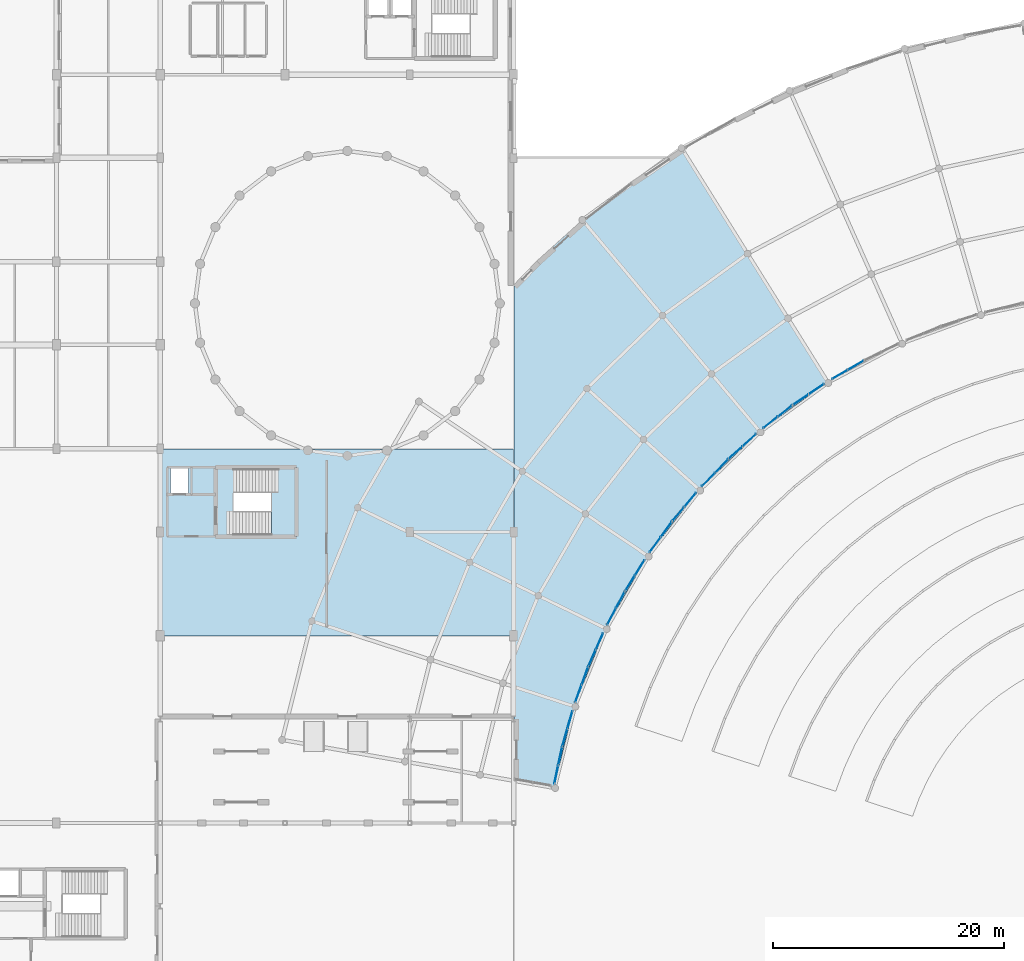
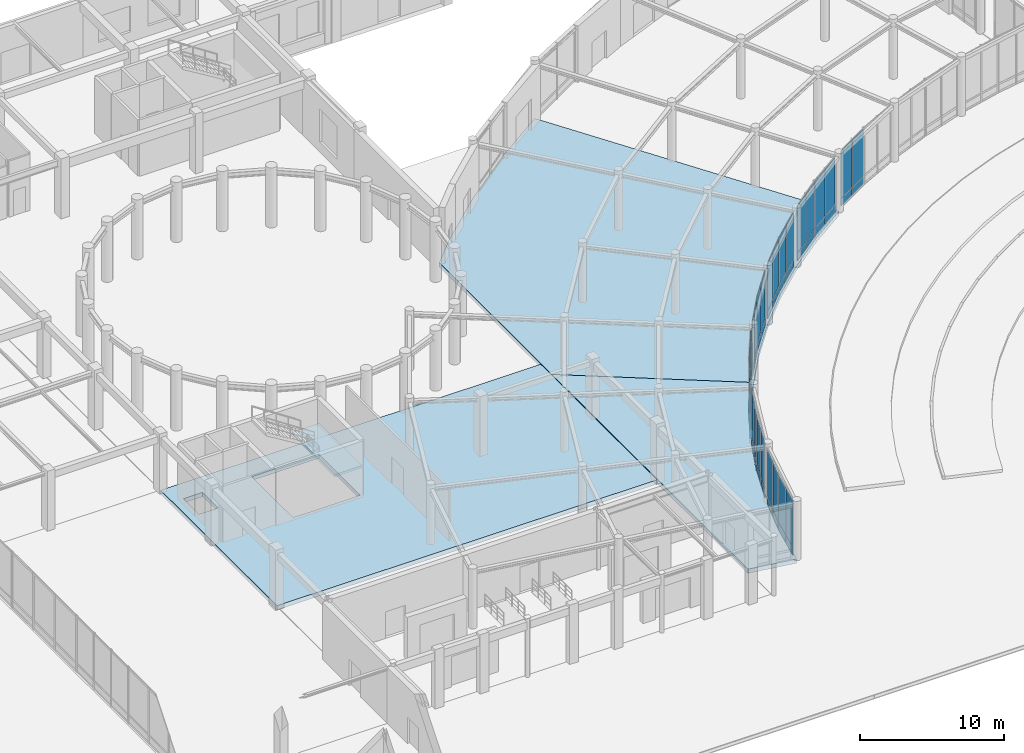
# One storey, part 40 of 64: 52 plates, 4 slabs, 14 elements without a shape of their own.
"""IFC4 building model written with IfcOpenShell, lengths in metres."""

from ifc_helpers import new_model, si_unit, direction, frame, frame_2d, origin, place, context, subcontext, project, spatial, polyline, rectangle, outline, extrude, material, layer, layer_set, type_object, element, aggregate, save


model = new_model("IFC4")

# Units and contexts
model_context = context("Model", 3, precision=1e-05, world=origin(), true_north=direction((0.0, 1.0)))
body_context = subcontext(model_context, "Body", "Model", "MODEL_VIEW")
ifc_project = project(units=[si_unit("LENGTHUNIT", "METRE"), si_unit("AREAUNIT", "SQUARE_METRE"), si_unit("VOLUMEUNIT", "CUBIC_METRE"), si_unit("PLANEANGLEUNIT", "RADIAN"), si_unit("MASSUNIT", "GRAM", prefix="KILO")], contexts=[model_context])

# Site, building, storey
site_placement = place(None, origin())
site = spatial("IfcSite", under=ifc_project, at=site_placement, CompositionType="ELEMENT")
building_placement = place(site_placement, origin())
building = spatial("IfcBuilding", under=site, at=building_placement, Name="Clarverna Civic Hall", CompositionType="ELEMENT")
storey_placement = place(building_placement, origin())
storey = spatial("IfcBuildingStorey", under=building, at=storey_placement, Name="L00", CompositionType="ELEMENT", Elevation=0.0)

# Curtain wall, plates
ifc_material_1 = material(Name="Anodised Bronze Architectural Aluminium", Category="aluminium")
curtain_wall_type = type_object("IfcCurtainWallType", Name="CW-03", PredefinedType="USERDEFINED", material=ifc_material_1)
curtain_wall_1_placement = place(storey_placement, origin())
curtain_wall_1 = element("IfcCurtainWall", 1, at=curtain_wall_1_placement, inside=storey, type_object=curtain_wall_type, Name="CW-03-013", ObjectType="UNITISED CURTAIN WALL", PredefinedType="USERDEFINED")
ifc_material_2 = material(Name="Solar-Control Argon Low-E Double Glazing", Category="glass")
ifc_layer_1 = layer(ifc_material_2, 0.031982421875)
ifc_layer_set_1 = layer_set([ifc_layer_1], Name="Solar-Control Argon Low-E Double Glazing")
plate_type_1 = type_object("IfcPlateType", Name="CWP-01", PredefinedType="CURTAIN_PANEL", material=ifc_layer_set_1)
plate_1_placement = place(storey_placement, frame((127.475830078125, 54.010498046875, 0.764892578125), z_axis=(0.0, 0.0, 1.0), x_axis=(-0.86599994119, -0.500044099915, 0.0)))
plate_1 = element("IfcPlate", 2, at=plate_1_placement, type_object=plate_type_1, Name="CWP-01-025", PredefinedType="CURTAIN_PANEL", context=body_context, shape_type="SweptSolid", body=[
    extrude(rectangle(XDim=1.532958984375, YDim=0.031982421875, at=frame_2d((0.7666015625, 0.0))), origin(), (0.0, 0.0, 1.0), 3.985107421875),
])
plate_2_placement = place(storey_placement, frame((126.122314453125, 53.22900390625, 0.764892578125), z_axis=(0.0, 0.0, 1.0), x_axis=(-0.8659601135, -0.500113069043, 0.0)))
plate_2 = element("IfcPlate", 3, at=plate_2_placement, type_object=plate_type_1, Name="CWP-01-026", PredefinedType="CURTAIN_PANEL", context=body_context, shape_type="SweptSolid", body=[
    extrude(rectangle(XDim=1.532958984375, YDim=0.031982421875, at=frame_2d((0.7666015625, 0.0))), origin(), (0.0, 0.0, 1.0), 3.985107421875),
])

curtain_wall_2_placement = place(storey_placement, origin())
curtain_wall_2 = element("IfcCurtainWall", 4, at=curtain_wall_2_placement, inside=storey, type_object=curtain_wall_type, Name="CW-03-014", ObjectType="UNITISED CURTAIN WALL", PredefinedType="USERDEFINED")
plate_3_placement = place(storey_placement, frame((124.064453125, 52.01123046875, 0.764892578125), z_axis=(0.0, 0.0, 1.0), x_axis=(-0.829045709522, -0.559180839731, 0.0)))
plate_3 = element("IfcPlate", 5, at=plate_3_placement, type_object=plate_type_1, Name="CWP-01-027", PredefinedType="CURTAIN_PANEL", context=body_context, shape_type="SweptSolid", body=[
    extrude(rectangle(XDim=1.593994140625, YDim=0.031982421875, at=frame_2d((0.796875, 0.0))), origin(), (0.0, 0.0, 1.0), 3.985107421875),
])
plate_4_placement = place(storey_placement, frame((122.718017578125, 51.103271484375, 0.764892578125), z_axis=(0.0, 0.0, 1.0), x_axis=(-0.82899781038, -0.559251848799, 0.0)))
plate_4 = element("IfcPlate", 6, at=plate_4_placement, type_object=plate_type_1, Name="CWP-01-028", PredefinedType="CURTAIN_PANEL", context=body_context, shape_type="SweptSolid", body=[
    extrude(rectangle(XDim=1.59375, YDim=0.031982421875, at=frame_2d((0.796875, 0.0))), origin(), (0.0, 0.0, 1.0), 3.985107421875),
])

curtain_wall_3_placement = place(storey_placement, origin())
curtain_wall_3 = element("IfcCurtainWall", 7, at=curtain_wall_3_placement, inside=storey, type_object=curtain_wall_type, Name="CW-03-015", ObjectType="UNITISED CURTAIN WALL", PredefinedType="USERDEFINED")
plate_5_placement = place(storey_placement, frame((121.311279296875, 50.149658203125, 0.764892578125), z_axis=(0.0, 0.0, 1.0), x_axis=(-0.788074025404, -0.615580482539, 0.0)))
plate_5 = element("IfcPlate", 8, at=plate_5_placement, type_object=plate_type_1, Name="CWP-01-029", PredefinedType="CURTAIN_PANEL", context=body_context, shape_type="SweptSolid", body=[
    extrude(rectangle(XDim=1.5654296875, YDim=0.031982421875, at=frame_2d((0.78271484375, 0.0))), origin(), (0.0, 0.0, 1.0), 3.985107421875),
])
plate_6_placement = place(storey_placement, frame((120.05419921875, 49.16748046875, 0.764892578125), z_axis=(0.0, 0.0, 1.0), x_axis=(-0.788074025404, -0.615580482539, 0.0)))
plate_6 = element("IfcPlate", 9, at=plate_6_placement, type_object=plate_type_1, Name="CWP-01-030", PredefinedType="CURTAIN_PANEL", context=body_context, shape_type="SweptSolid", body=[
    extrude(rectangle(XDim=1.5654296875, YDim=0.031982421875, at=frame_2d((0.78271484375, 0.0))), origin(), (0.0, 0.0, 1.0), 3.985107421875),
])

curtain_wall_4_placement = place(storey_placement, origin())
curtain_wall_4 = element("IfcCurtainWall", 10, at=curtain_wall_4_placement, inside=storey, type_object=curtain_wall_type, Name="CW-03-016", ObjectType="UNITISED CURTAIN WALL", PredefinedType="USERDEFINED")
plate_7_placement = place(storey_placement, frame((118.199462890625, 47.684326171875, 0.764892578125), z_axis=(0.0, 0.0, 1.0), x_axis=(-0.74315636216, -0.669117793353, 0.0)))
plate_7 = element("IfcPlate", 11, at=plate_7_placement, type_object=plate_type_1, Name="CWP-01-031", PredefinedType="CURTAIN_PANEL", context=body_context, shape_type="SweptSolid", body=[
    extrude(rectangle(XDim=1.586181640625, YDim=0.031982421875, at=frame_2d((0.79296875, 0.0))), origin(), (0.0, 0.0, 1.0), 3.985107421875),
])
plate_8_placement = place(storey_placement, frame((116.998291015625, 46.60302734375, 0.764892578125), z_axis=(0.0, 0.0, 1.0), x_axis=(-0.74315636216, -0.669117793353, 0.0)))
plate_8 = element("IfcPlate", 12, at=plate_8_placement, type_object=plate_type_1, Name="CWP-01-032", PredefinedType="CURTAIN_PANEL", context=body_context, shape_type="SweptSolid", body=[
    extrude(rectangle(XDim=1.586181640625, YDim=0.031982421875, at=frame_2d((0.79296875, 0.0))), origin(), (0.0, 0.0, 1.0), 3.985107421875),
])

curtain_wall_5_placement = place(storey_placement, origin())
curtain_wall_5 = element("IfcCurtainWall", 13, at=curtain_wall_5_placement, inside=storey, type_object=curtain_wall_type, Name="CW-03-017", ObjectType="UNITISED CURTAIN WALL", PredefinedType="USERDEFINED")
plate_9_placement = place(storey_placement, frame((115.743896484375, 45.468505859375, 0.764892578125), z_axis=(0.0, 0.0, 1.0), x_axis=(-0.694663306685, -0.719335033448, 0.0)))
plate_9 = element("IfcPlate", 14, at=plate_9_placement, type_object=plate_type_1, Name="CWP-01-033", PredefinedType="CURTAIN_PANEL", context=body_context, shape_type="SweptSolid", body=[
    extrude(rectangle(XDim=1.583251953125, YDim=0.031982421875, at=frame_2d((0.79150390625, 0.0))), origin(), (0.0, 0.0, 1.0), 3.985107421875),
])
plate_10_placement = place(storey_placement, frame((114.623291015625, 44.30810546875, 0.764892578125), z_axis=(0.0, 0.0, 1.0), x_axis=(-0.694663306685, -0.719335033448, 0.0)))
plate_10 = element("IfcPlate", 15, at=plate_10_placement, type_object=plate_type_1, Name="CWP-01-034", PredefinedType="CURTAIN_PANEL", context=body_context, shape_type="SweptSolid", body=[
    extrude(rectangle(XDim=1.583251953125, YDim=0.031982421875, at=frame_2d((0.79150390625, 0.0))), origin(), (0.0, 0.0, 1.0), 3.985107421875),
])

curtain_wall_6_placement = place(storey_placement, origin())
curtain_wall_6 = element("IfcCurtainWall", 16, at=curtain_wall_6_placement, inside=storey, type_object=curtain_wall_type, Name="CW-03-018", ObjectType="UNITISED CURTAIN WALL", PredefinedType="USERDEFINED")
plate_11_placement = place(storey_placement, frame((112.985595703125, 42.570556640625, 0.764892578125), z_axis=(0.0, 0.0, 1.0), x_axis=(-0.642780039914, -0.766050794848, 0.0)))
plate_11 = element("IfcPlate", 17, at=plate_11_placement, type_object=plate_type_1, Name="CWP-01-035", PredefinedType="CURTAIN_PANEL", context=body_context, shape_type="SweptSolid", body=[
    extrude(rectangle(XDim=1.570556640625, YDim=0.031982421875, at=frame_2d((0.78515625, 0.0))), origin(), (0.0, 0.0, 1.0), 3.985107421875),
])
plate_12_placement = place(storey_placement, frame((111.956787109375, 41.344482421875, 0.764892578125), z_axis=(0.0, 0.0, 1.0), x_axis=(-0.642794715853, -0.766038480281, 0.0)))
plate_12 = element("IfcPlate", 18, at=plate_12_placement, type_object=plate_type_1, Name="CWP-01-036", PredefinedType="CURTAIN_PANEL", context=body_context, shape_type="SweptSolid", body=[
    extrude(rectangle(XDim=1.57080078125, YDim=0.031982421875, at=frame_2d((0.785400390625, 0.0))), origin(), (0.0, 0.0, 1.0), 3.985107421875),
])

curtain_wall_7_placement = place(storey_placement, origin())
curtain_wall_7 = element("IfcCurtainWall", 19, at=curtain_wall_7_placement, inside=storey, type_object=curtain_wall_type, Name="CW-03-019", ObjectType="UNITISED CURTAIN WALL", PredefinedType="USERDEFINED")
plate_13_placement = place(storey_placement, frame((110.8818359375, 40.057861328125, 0.764892578125), z_axis=(0.0, 0.0, 1.0), x_axis=(-0.58778877227, -0.80901443695, 0.0)))
plate_13 = element("IfcPlate", 20, at=plate_13_placement, type_object=plate_type_1, Name="CWP-01-037", PredefinedType="CURTAIN_PANEL", context=body_context, shape_type="SweptSolid", body=[
    extrude(rectangle(XDim=1.592529296875, YDim=0.031982421875, at=frame_2d((0.79638671875, 0.0))), origin(), (0.0, 0.0, 1.0), 3.985107421875),
])
plate_14_placement = place(storey_placement, frame((109.92822265625, 38.7451171875, 0.764892578125), z_axis=(0.0, 0.0, 1.0), x_axis=(-0.58778877227, -0.80901443695, 0.0)))
plate_14 = element("IfcPlate", 21, at=plate_14_placement, type_object=plate_type_1, Name="CWP-01-038", PredefinedType="CURTAIN_PANEL", context=body_context, shape_type="SweptSolid", body=[
    extrude(rectangle(XDim=1.592529296875, YDim=0.031982421875, at=frame_2d((0.79638671875, 0.0))), origin(), (0.0, 0.0, 1.0), 3.985107421875),
])

curtain_wall_8_placement = place(storey_placement, origin())
curtain_wall_8 = element("IfcCurtainWall", 22, at=curtain_wall_8_placement, inside=storey, type_object=curtain_wall_type, Name="CW-03-020", ObjectType="UNITISED CURTAIN WALL", PredefinedType="USERDEFINED")
plate_15_placement = place(storey_placement, frame((108.524658203125, 36.75732421875, 0.764892578125), z_axis=(0.0, 0.0, 1.0), x_axis=(-0.529998940003, -0.847998304005, 0.0)))
plate_15 = element("IfcPlate", 23, at=plate_15_placement, type_object=plate_type_1, Name="CWP-01-039", PredefinedType="CURTAIN_PANEL", context=body_context, shape_type="SweptSolid", body=[
    extrude(rectangle(XDim=1.543212890625, YDim=0.031982421875, at=frame_2d((0.771484375, 0.0))), origin(), (0.0, 0.0, 1.0), 3.985107421875),
])
plate_16_placement = place(storey_placement, frame((107.691162109375, 35.42333984375, 0.764892578125), z_axis=(0.0, 0.0, 1.0), x_axis=(-0.530070052686, -0.847953854431, 0.0)))
plate_16 = element("IfcPlate", 24, at=plate_16_placement, type_object=plate_type_1, Name="CWP-01-040", PredefinedType="CURTAIN_PANEL", context=body_context, shape_type="SweptSolid", body=[
    extrude(rectangle(XDim=1.54296875, YDim=0.031982421875, at=frame_2d((0.771484375, 0.0))), origin(), (0.0, 0.0, 1.0), 3.985107421875),
])

curtain_wall_9_placement = place(storey_placement, origin())
curtain_wall_9 = element("IfcCurtainWall", 25, at=curtain_wall_9_placement, inside=storey, type_object=curtain_wall_type, Name="CW-03-021", ObjectType="UNITISED CURTAIN WALL", PredefinedType="USERDEFINED")
plate_17_placement = place(storey_placement, frame((106.820556640625, 34.0234375, 0.764892578125), z_axis=(0.0, 0.0, 1.0), x_axis=(-0.469460802596, -0.882953314069, 0.0)))
plate_17 = element("IfcPlate", 26, at=plate_17_placement, type_object=plate_type_1, Name="CWP-01-041", PredefinedType="CURTAIN_PANEL", context=body_context, shape_type="SweptSolid", body=[
    extrude(rectangle(XDim=1.596435546875, YDim=0.031982421875, at=frame_2d((0.79833984375, 0.0))), origin(), (0.0, 0.0, 1.0), 3.985107421875),
])
plate_18_placement = place(storey_placement, frame((106.056884765625, 32.58740234375, 0.764892578125), z_axis=(0.0, 0.0, 1.0), x_axis=(-0.469278200902, -0.883050378041, 0.0)))
plate_18 = element("IfcPlate", 27, at=plate_18_placement, type_object=plate_type_1, Name="CWP-01-042", PredefinedType="CURTAIN_PANEL", context=body_context, shape_type="SweptSolid", body=[
    extrude(rectangle(XDim=1.5966796875, YDim=0.031982421875, at=frame_2d((0.79833984375, 0.0))), origin(), (0.0, 0.0, 1.0), 3.985107421875),
])

curtain_wall_10_placement = place(storey_placement, origin())
curtain_wall_10 = element("IfcCurtainWall", 28, at=curtain_wall_10_placement, inside=storey, type_object=curtain_wall_type, Name="CW-03-022", ObjectType="UNITISED CURTAIN WALL", PredefinedType="USERDEFINED")
plate_19_placement = place(storey_placement, frame((104.938720703125, 30.41162109375, 0.764892578125), z_axis=(0.0, 0.0, 1.0), x_axis=(-0.406743501213, -0.913542404172, 0.0)))
plate_19 = element("IfcPlate", 29, at=plate_19_placement, type_object=plate_type_1, Name="CWP-01-043", PredefinedType="CURTAIN_PANEL", context=body_context, shape_type="SweptSolid", body=[
    extrude(rectangle(XDim=1.534912109375, YDim=0.031982421875, at=frame_2d((0.767578125, 0.0))), origin(), (0.0, 0.0, 1.0), 3.985107421875),
])
plate_20_placement = place(storey_placement, frame((104.30224609375, 28.982177734375, 0.764892578125), z_axis=(0.0, 0.0, 1.0), x_axis=(-0.406743501213, -0.913542404172, 0.0)))
plate_20 = element("IfcPlate", 30, at=plate_20_placement, type_object=plate_type_1, Name="CWP-01-044", PredefinedType="CURTAIN_PANEL", context=body_context, shape_type="SweptSolid", body=[
    extrude(rectangle(XDim=1.534912109375, YDim=0.031982421875, at=frame_2d((0.767578125, 0.0))), origin(), (0.0, 0.0, 1.0), 3.985107421875),
])

curtain_wall_11_placement = place(storey_placement, origin())
curtain_wall_11 = element("IfcCurtainWall", 31, at=curtain_wall_11_placement, inside=storey, type_object=curtain_wall_type, Name="CW-03-023", ObjectType="UNITISED CURTAIN WALL", PredefinedType="USERDEFINED")
plate_21_placement = place(storey_placement, frame((103.638427734375, 27.482421875, 0.764892578125), z_axis=(0.0, 0.0, 1.0), x_axis=(-0.342074547265, -0.939672817588, 0.0)))
plate_21 = element("IfcPlate", 32, at=plate_21_placement, type_object=plate_type_1, Name="CWP-01-045", PredefinedType="CURTAIN_PANEL", context=body_context, shape_type="SweptSolid", body=[
    extrude(rectangle(XDim=1.5966796875, YDim=0.031982421875, at=frame_2d((0.79833984375, 0.0))), origin(), (0.0, 0.0, 1.0), 3.985107421875),
])
plate_22_placement = place(storey_placement, frame((103.082275390625, 25.9541015625, 0.764892578125), z_axis=(0.0, 0.0, 1.0), x_axis=(-0.342123707107, -0.939654920189, 0.0)))
plate_22 = element("IfcPlate", 33, at=plate_22_placement, type_object=plate_type_1, Name="CWP-01-046", PredefinedType="CURTAIN_PANEL", context=body_context, shape_type="SweptSolid", body=[
    extrude(rectangle(XDim=1.596435546875, YDim=0.031982421875, at=frame_2d((0.79833984375, 0.0))), origin(), (0.0, 0.0, 1.0), 3.985107421875),
])

curtain_wall_12_placement = place(storey_placement, origin())
curtain_wall_12 = element("IfcCurtainWall", 34, at=curtain_wall_12_placement, inside=storey, type_object=curtain_wall_type, Name="CW-03-024", ObjectType="UNITISED CURTAIN WALL", PredefinedType="USERDEFINED")
plate_23_placement = place(storey_placement, frame((102.288818359375, 23.682861328125, 0.764892578125), z_axis=(0.0, 0.0, 1.0), x_axis=(-0.275674782224, -0.9612509633, 0.0)))
plate_23 = element("IfcPlate", 35, at=plate_23_placement, type_object=plate_type_1, Name="CWP-01-047", PredefinedType="CURTAIN_PANEL", context=body_context, shape_type="SweptSolid", body=[
    extrude(rectangle(XDim=1.55517578125, YDim=0.031982421875, at=frame_2d((0.777587890625, 0.0))), origin(), (0.0, 0.0, 1.0), 3.985107421875),
])
plate_24_placement = place(storey_placement, frame((101.851806640625, 22.1591796875, 0.764892578125), z_axis=(0.0, 0.0, 1.0), x_axis=(-0.275716389492, -0.96123902988, 0.0)))
plate_24 = element("IfcPlate", 36, at=plate_24_placement, type_object=plate_type_1, Name="CWP-01-048", PredefinedType="CURTAIN_PANEL", context=body_context, shape_type="SweptSolid", body=[
    extrude(rectangle(XDim=1.554931640625, YDim=0.031982421875, at=frame_2d((0.77734375, 0.0))), origin(), (0.0, 0.0, 1.0), 3.985107421875),
])

curtain_wall_13_placement = place(storey_placement, origin())
curtain_wall_13 = element("IfcCurtainWall", 37, at=curtain_wall_13_placement, inside=storey, type_object=curtain_wall_type, Name="CW-03-025", ObjectType="UNITISED CURTAIN WALL", PredefinedType="USERDEFINED")
plate_25_placement = place(storey_placement, frame((101.397705078125, 20.56201171875, 0.764892578125), z_axis=(0.0, 0.0, 1.0), x_axis=(-0.207833092488, -0.978164304024, 0.0)))
plate_25 = element("IfcPlate", 38, at=plate_25_placement, type_object=plate_type_1, Name="CWP-01-049", PredefinedType="CURTAIN_PANEL", context=body_context, shape_type="SweptSolid", body=[
    extrude(rectangle(XDim=1.5927734375, YDim=0.031982421875, at=frame_2d((0.79638671875, 0.0))), origin(), (0.0, 0.0, 1.0), 3.985107421875),
])
plate_26_placement = place(storey_placement, frame((101.060302734375, 18.974609375, 0.764892578125), z_axis=(0.0, 0.0, 1.0), x_axis=(-0.207864255912, -0.978157682132, 0.0)))
plate_26 = element("IfcPlate", 39, at=plate_26_placement, type_object=plate_type_1, Name="CWP-01-050", PredefinedType="CURTAIN_PANEL", context=body_context, shape_type="SweptSolid", body=[
    extrude(rectangle(XDim=1.592529296875, YDim=0.031982421875, at=frame_2d((0.79638671875, 0.0))), origin(), (0.0, 0.0, 1.0), 3.985107421875),
])

# Plate
ifc_material_3 = material(Name="Insulated Anodised Bronze Spandrel Panel", Category="aluminium")
ifc_layer_2 = layer(ifc_material_3, 0.048095703125)
ifc_layer_set_2 = layer_set([ifc_layer_2], Name="Insulated Anodised Bronze Spandrel Panel")
plate_type_2 = type_object("IfcPlateType", Name="CWP-03", PredefinedType="CURTAIN_PANEL", material=ifc_layer_set_2)
plate_27_placement = place(storey_placement, frame((127.475830078125, 54.010498046875, 0.110107421875), z_axis=(0.0, 0.0, 1.0), x_axis=(-0.86599994119, -0.500044099915, 0.0)))
plate_27 = element("IfcPlate", 40, at=plate_27_placement, type_object=plate_type_2, Name="CWP-03-027", PredefinedType="CURTAIN_PANEL", context=body_context, shape_type="SweptSolid", body=[
    extrude(rectangle(XDim=1.532958984375, YDim=0.048095703125, at=frame_2d((0.7666015625, 0.0))), origin(), (0.0, 0.0, 1.0), 0.625),
])

plate_28_placement = place(storey_placement, frame((126.122314453125, 53.22900390625, 0.110107421875), z_axis=(0.0, 0.0, 1.0), x_axis=(-0.8659601135, -0.500113069043, 0.0)))
plate_28 = element("IfcPlate", 41, at=plate_28_placement, type_object=plate_type_2, Name="CWP-03-028", PredefinedType="CURTAIN_PANEL", context=body_context, shape_type="SweptSolid", body=[
    extrude(rectangle(XDim=1.532958984375, YDim=0.048095703125, at=frame_2d((0.7666015625, 0.0))), origin(), (0.0, 0.0, 1.0), 0.625),
])

aggregate(curtain_wall_1, [plate_27, plate_1, plate_28, plate_2])

plate_29_placement = place(storey_placement, frame((124.064453125, 52.01123046875, 0.110107421875), z_axis=(0.0, 0.0, 1.0), x_axis=(-0.829045709522, -0.559180839731, 0.0)))
plate_29 = element("IfcPlate", 42, at=plate_29_placement, type_object=plate_type_2, Name="CWP-03-029", PredefinedType="CURTAIN_PANEL", context=body_context, shape_type="SweptSolid", body=[
    extrude(rectangle(XDim=1.593994140625, YDim=0.048095703125, at=frame_2d((0.796875, 0.0))), origin(), (0.0, 0.0, 1.0), 0.625),
])

plate_30_placement = place(storey_placement, frame((122.718017578125, 51.103271484375, 0.110107421875), z_axis=(0.0, 0.0, 1.0), x_axis=(-0.82899781038, -0.559251848799, 0.0)))
plate_30 = element("IfcPlate", 43, at=plate_30_placement, type_object=plate_type_2, Name="CWP-03-030", PredefinedType="CURTAIN_PANEL", context=body_context, shape_type="SweptSolid", body=[
    extrude(rectangle(XDim=1.59375, YDim=0.048095703125, at=frame_2d((0.796875, 0.0))), origin(), (0.0, 0.0, 1.0), 0.625),
])

aggregate(curtain_wall_2, [plate_29, plate_3, plate_30, plate_4])

plate_31_placement = place(storey_placement, frame((121.311279296875, 50.149658203125, 0.110107421875), z_axis=(0.0, 0.0, 1.0), x_axis=(-0.788074025404, -0.615580482539, 0.0)))
plate_31 = element("IfcPlate", 44, at=plate_31_placement, type_object=plate_type_2, Name="CWP-03-031", PredefinedType="CURTAIN_PANEL", context=body_context, shape_type="SweptSolid", body=[
    extrude(rectangle(XDim=1.5654296875, YDim=0.048095703125, at=frame_2d((0.78271484375, 0.0))), origin(), (0.0, 0.0, 1.0), 0.625),
])

plate_32_placement = place(storey_placement, frame((120.05419921875, 49.16748046875, 0.110107421875), z_axis=(0.0, 0.0, 1.0), x_axis=(-0.788074025404, -0.615580482539, 0.0)))
plate_32 = element("IfcPlate", 45, at=plate_32_placement, type_object=plate_type_2, Name="CWP-03-032", PredefinedType="CURTAIN_PANEL", context=body_context, shape_type="SweptSolid", body=[
    extrude(rectangle(XDim=1.5654296875, YDim=0.048095703125, at=frame_2d((0.78271484375, 0.0))), origin(), (0.0, 0.0, 1.0), 0.625),
])

aggregate(curtain_wall_3, [plate_31, plate_5, plate_32, plate_6])

plate_33_placement = place(storey_placement, frame((118.199462890625, 47.684326171875, 0.110107421875), z_axis=(0.0, 0.0, 1.0), x_axis=(-0.74315636216, -0.669117793353, 0.0)))
plate_33 = element("IfcPlate", 46, at=plate_33_placement, type_object=plate_type_2, Name="CWP-03-033", PredefinedType="CURTAIN_PANEL", context=body_context, shape_type="SweptSolid", body=[
    extrude(rectangle(XDim=1.586181640625, YDim=0.048095703125, at=frame_2d((0.79296875, 0.0))), origin(), (0.0, 0.0, 1.0), 0.625),
])

plate_34_placement = place(storey_placement, frame((116.998291015625, 46.60302734375, 0.110107421875), z_axis=(0.0, 0.0, 1.0), x_axis=(-0.74315636216, -0.669117793353, 0.0)))
plate_34 = element("IfcPlate", 47, at=plate_34_placement, type_object=plate_type_2, Name="CWP-03-034", PredefinedType="CURTAIN_PANEL", context=body_context, shape_type="SweptSolid", body=[
    extrude(rectangle(XDim=1.586181640625, YDim=0.048095703125, at=frame_2d((0.79296875, 0.0))), origin(), (0.0, 0.0, 1.0), 0.625),
])

aggregate(curtain_wall_4, [plate_33, plate_7, plate_34, plate_8])

plate_35_placement = place(storey_placement, frame((115.743896484375, 45.468505859375, 0.110107421875), z_axis=(0.0, 0.0, 1.0), x_axis=(-0.694663306685, -0.719335033448, 0.0)))
plate_35 = element("IfcPlate", 48, at=plate_35_placement, type_object=plate_type_2, Name="CWP-03-035", PredefinedType="CURTAIN_PANEL", context=body_context, shape_type="SweptSolid", body=[
    extrude(rectangle(XDim=1.583251953125, YDim=0.048095703125, at=frame_2d((0.79150390625, 0.0))), origin(), (0.0, 0.0, 1.0), 0.625),
])

plate_36_placement = place(storey_placement, frame((114.623291015625, 44.30810546875, 0.110107421875), z_axis=(0.0, 0.0, 1.0), x_axis=(-0.694663306685, -0.719335033448, 0.0)))
plate_36 = element("IfcPlate", 49, at=plate_36_placement, type_object=plate_type_2, Name="CWP-03-036", PredefinedType="CURTAIN_PANEL", context=body_context, shape_type="SweptSolid", body=[
    extrude(rectangle(XDim=1.583251953125, YDim=0.048095703125, at=frame_2d((0.79150390625, 0.0))), origin(), (0.0, 0.0, 1.0), 0.625),
])

aggregate(curtain_wall_5, [plate_35, plate_9, plate_36, plate_10])

plate_37_placement = place(storey_placement, frame((112.985595703125, 42.570556640625, 0.110107421875), z_axis=(0.0, 0.0, 1.0), x_axis=(-0.642780039914, -0.766050794848, 0.0)))
plate_37 = element("IfcPlate", 50, at=plate_37_placement, type_object=plate_type_2, Name="CWP-03-037", PredefinedType="CURTAIN_PANEL", context=body_context, shape_type="SweptSolid", body=[
    extrude(rectangle(XDim=1.570556640625, YDim=0.048095703125, at=frame_2d((0.78515625, 0.0))), origin(), (0.0, 0.0, 1.0), 0.625),
])

plate_38_placement = place(storey_placement, frame((111.956787109375, 41.344482421875, 0.110107421875), z_axis=(0.0, 0.0, 1.0), x_axis=(-0.642794715853, -0.766038480281, 0.0)))
plate_38 = element("IfcPlate", 51, at=plate_38_placement, type_object=plate_type_2, Name="CWP-03-038", PredefinedType="CURTAIN_PANEL", context=body_context, shape_type="SweptSolid", body=[
    extrude(rectangle(XDim=1.57080078125, YDim=0.048095703125, at=frame_2d((0.785400390625, 0.0))), origin(), (0.0, 0.0, 1.0), 0.625),
])

aggregate(curtain_wall_6, [plate_37, plate_11, plate_38, plate_12])

plate_39_placement = place(storey_placement, frame((110.8818359375, 40.057861328125, 0.110107421875), z_axis=(0.0, 0.0, 1.0), x_axis=(-0.58778877227, -0.80901443695, 0.0)))
plate_39 = element("IfcPlate", 52, at=plate_39_placement, type_object=plate_type_2, Name="CWP-03-039", PredefinedType="CURTAIN_PANEL", context=body_context, shape_type="SweptSolid", body=[
    extrude(rectangle(XDim=1.592529296875, YDim=0.048095703125, at=frame_2d((0.79638671875, 0.0))), origin(), (0.0, 0.0, 1.0), 0.625),
])

plate_40_placement = place(storey_placement, frame((109.92822265625, 38.7451171875, 0.110107421875), z_axis=(0.0, 0.0, 1.0), x_axis=(-0.58778877227, -0.80901443695, 0.0)))
plate_40 = element("IfcPlate", 53, at=plate_40_placement, type_object=plate_type_2, Name="CWP-03-040", PredefinedType="CURTAIN_PANEL", context=body_context, shape_type="SweptSolid", body=[
    extrude(rectangle(XDim=1.592529296875, YDim=0.048095703125, at=frame_2d((0.79638671875, 0.0))), origin(), (0.0, 0.0, 1.0), 0.625),
])

aggregate(curtain_wall_7, [plate_39, plate_13, plate_40, plate_14])

plate_41_placement = place(storey_placement, frame((108.524658203125, 36.75732421875, 0.110107421875), z_axis=(0.0, 0.0, 1.0), x_axis=(-0.529998940003, -0.847998304005, 0.0)))
plate_41 = element("IfcPlate", 54, at=plate_41_placement, type_object=plate_type_2, Name="CWP-03-041", PredefinedType="CURTAIN_PANEL", context=body_context, shape_type="SweptSolid", body=[
    extrude(rectangle(XDim=1.543212890625, YDim=0.048095703125, at=frame_2d((0.771484375, 0.0))), origin(), (0.0, 0.0, 1.0), 0.625),
])

plate_42_placement = place(storey_placement, frame((107.691162109375, 35.42333984375, 0.110107421875), z_axis=(0.0, 0.0, 1.0), x_axis=(-0.530070052686, -0.847953854431, 0.0)))
plate_42 = element("IfcPlate", 55, at=plate_42_placement, type_object=plate_type_2, Name="CWP-03-042", PredefinedType="CURTAIN_PANEL", context=body_context, shape_type="SweptSolid", body=[
    extrude(rectangle(XDim=1.54296875, YDim=0.048095703125, at=frame_2d((0.771484375, 0.0))), origin(), (0.0, 0.0, 1.0), 0.625),
])

aggregate(curtain_wall_8, [plate_41, plate_15, plate_42, plate_16])

plate_43_placement = place(storey_placement, frame((106.820556640625, 34.0234375, 0.110107421875), z_axis=(0.0, 0.0, 1.0), x_axis=(-0.469460802596, -0.882953314069, 0.0)))
plate_43 = element("IfcPlate", 56, at=plate_43_placement, type_object=plate_type_2, Name="CWP-03-043", PredefinedType="CURTAIN_PANEL", context=body_context, shape_type="SweptSolid", body=[
    extrude(rectangle(XDim=1.596435546875, YDim=0.048095703125, at=frame_2d((0.79833984375, 0.0))), origin(), (0.0, 0.0, 1.0), 0.625),
])

plate_44_placement = place(storey_placement, frame((106.056884765625, 32.58740234375, 0.110107421875), z_axis=(0.0, 0.0, 1.0), x_axis=(-0.469278200902, -0.883050378041, 0.0)))
plate_44 = element("IfcPlate", 57, at=plate_44_placement, type_object=plate_type_2, Name="CWP-03-044", PredefinedType="CURTAIN_PANEL", context=body_context, shape_type="SweptSolid", body=[
    extrude(rectangle(XDim=1.5966796875, YDim=0.048095703125, at=frame_2d((0.79833984375, 0.0))), origin(), (0.0, 0.0, 1.0), 0.625),
])

aggregate(curtain_wall_9, [plate_43, plate_17, plate_44, plate_18])

plate_45_placement = place(storey_placement, frame((104.938720703125, 30.41162109375, 0.110107421875), z_axis=(0.0, 0.0, 1.0), x_axis=(-0.406743501213, -0.913542404172, 0.0)))
plate_45 = element("IfcPlate", 58, at=plate_45_placement, type_object=plate_type_2, Name="CWP-03-045", PredefinedType="CURTAIN_PANEL", context=body_context, shape_type="SweptSolid", body=[
    extrude(rectangle(XDim=1.534912109375, YDim=0.048095703125, at=frame_2d((0.767578125, 0.0))), origin(), (0.0, 0.0, 1.0), 0.625),
])

plate_46_placement = place(storey_placement, frame((104.30224609375, 28.982177734375, 0.110107421875), z_axis=(0.0, 0.0, 1.0), x_axis=(-0.406743501213, -0.913542404172, 0.0)))
plate_46 = element("IfcPlate", 59, at=plate_46_placement, type_object=plate_type_2, Name="CWP-03-046", PredefinedType="CURTAIN_PANEL", context=body_context, shape_type="SweptSolid", body=[
    extrude(rectangle(XDim=1.534912109375, YDim=0.048095703125, at=frame_2d((0.767578125, 0.0))), origin(), (0.0, 0.0, 1.0), 0.625),
])

aggregate(curtain_wall_10, [plate_45, plate_19, plate_46, plate_20])

plate_47_placement = place(storey_placement, frame((103.638427734375, 27.482421875, 0.110107421875), z_axis=(0.0, 0.0, 1.0), x_axis=(-0.342074547265, -0.939672817588, 0.0)))
plate_47 = element("IfcPlate", 60, at=plate_47_placement, type_object=plate_type_2, Name="CWP-03-047", PredefinedType="CURTAIN_PANEL", context=body_context, shape_type="SweptSolid", body=[
    extrude(rectangle(XDim=1.5966796875, YDim=0.048095703125, at=frame_2d((0.79833984375, 0.0))), origin(), (0.0, 0.0, 1.0), 0.625),
])

plate_48_placement = place(storey_placement, frame((103.082275390625, 25.9541015625, 0.110107421875), z_axis=(0.0, 0.0, 1.0), x_axis=(-0.342123707107, -0.939654920189, 0.0)))
plate_48 = element("IfcPlate", 61, at=plate_48_placement, type_object=plate_type_2, Name="CWP-03-048", PredefinedType="CURTAIN_PANEL", context=body_context, shape_type="SweptSolid", body=[
    extrude(rectangle(XDim=1.596435546875, YDim=0.048095703125, at=frame_2d((0.79833984375, 0.0))), origin(), (0.0, 0.0, 1.0), 0.625),
])

aggregate(curtain_wall_11, [plate_47, plate_21, plate_48, plate_22])

plate_49_placement = place(storey_placement, frame((102.288818359375, 23.682861328125, 0.110107421875), z_axis=(0.0, 0.0, 1.0), x_axis=(-0.275674782224, -0.9612509633, 0.0)))
plate_49 = element("IfcPlate", 62, at=plate_49_placement, type_object=plate_type_2, Name="CWP-03-049", PredefinedType="CURTAIN_PANEL", context=body_context, shape_type="SweptSolid", body=[
    extrude(rectangle(XDim=1.55517578125, YDim=0.048095703125, at=frame_2d((0.777587890625, 0.0))), origin(), (0.0, 0.0, 1.0), 0.625),
])

plate_50_placement = place(storey_placement, frame((101.851806640625, 22.1591796875, 0.110107421875), z_axis=(0.0, 0.0, 1.0), x_axis=(-0.275716389492, -0.96123902988, 0.0)))
plate_50 = element("IfcPlate", 63, at=plate_50_placement, type_object=plate_type_2, Name="CWP-03-050", PredefinedType="CURTAIN_PANEL", context=body_context, shape_type="SweptSolid", body=[
    extrude(rectangle(XDim=1.554931640625, YDim=0.048095703125, at=frame_2d((0.77734375, 0.0))), origin(), (0.0, 0.0, 1.0), 0.625),
])

aggregate(curtain_wall_12, [plate_49, plate_23, plate_50, plate_24])

plate_51_placement = place(storey_placement, frame((101.397705078125, 20.56201171875, 0.110107421875), z_axis=(0.0, 0.0, 1.0), x_axis=(-0.207833092488, -0.978164304024, 0.0)))
plate_51 = element("IfcPlate", 64, at=plate_51_placement, type_object=plate_type_2, Name="CWP-03-051", PredefinedType="CURTAIN_PANEL", context=body_context, shape_type="SweptSolid", body=[
    extrude(rectangle(XDim=1.5927734375, YDim=0.048095703125, at=frame_2d((0.79638671875, 0.0))), origin(), (0.0, 0.0, 1.0), 0.625),
])

plate_52_placement = place(storey_placement, frame((101.060302734375, 18.974609375, 0.110107421875), z_axis=(0.0, 0.0, 1.0), x_axis=(-0.207864255912, -0.978157682132, 0.0)))
plate_52 = element("IfcPlate", 65, at=plate_52_placement, type_object=plate_type_2, Name="CWP-03-052", PredefinedType="CURTAIN_PANEL", context=body_context, shape_type="SweptSolid", body=[
    extrude(rectangle(XDim=1.592529296875, YDim=0.048095703125, at=frame_2d((0.79638671875, 0.0))), origin(), (0.0, 0.0, 1.0), 0.625),
])

aggregate(curtain_wall_13, [plate_51, plate_25, plate_52, plate_26])

# Slabs
ifc_material_4 = material(Name="Concrete C30/37", Category="concrete")
ifc_layer_3 = layer(ifc_material_4, 0.360107421875)
ifc_layer_set_3 = layer_set([ifc_layer_3], Name="Concrete C30/37")
slab_type_1 = type_object("IfcSlabType", Name="SL-FL1", PredefinedType="FLOOR", material=ifc_layer_set_3)
slab_1_placement = place(storey_placement, frame((0.0, 0.0, -0.360107421875)))
element("IfcSlab", 66, at=slab_1_placement, inside=storey, type_object=slab_type_1, Name="SL-FL1-005", PredefinedType="FLOOR", context=body_context, shape_type="SweptSolid", body=[
    extrude(outline(polyline([(118.574951171875, 47.834228515625), (121.435302734375, 50.06884765625), (124.444091796875, 52.098388671875), (111.72607421875, 72.45166015625), (107.328369140625, 69.4853515625), (103.148193359375, 66.219482421875), (99.2060546875, 62.669921875), (97.22509765625, 60.618408203125), (97.22509765625, 44.9462890625), (108.889892578125, 37.077880859375), (111.0234375, 40.014404296875), (113.3564453125, 42.794921875), (115.877685546875, 45.40576171875), (118.574951171875, 47.834228515625)])), origin(), (0.0, 0.0, 1.0), 0.360107421875),
])
slab_2_placement = place(storey_placement, frame((0.0, 0.0, -0.360107421875)))
element("IfcSlab", 67, at=slab_2_placement, inside=storey, type_object=slab_type_1, Name="SL-FL1-006", PredefinedType="FLOOR", context=body_context, shape_type="SweptSolid", body=[
    extrude(outline(polyline([(105.2626953125, 30.79541015625), (106.966796875, 34.0), (108.889892578125, 37.077880859375), (97.22509765625, 44.9462890625), (97.22509765625, 17.658203125), (100.7900390625, 17.02978515625), (101.544677734375, 20.579833984375), (102.545166015625, 24.06884765625), (103.786376953125, 27.4794921875), (105.2626953125, 30.79541015625)])), origin(), (0.0, 0.0, 1.0), 0.360107421875),
])
slab_3_placement = place(storey_placement, frame((0.0, 0.0, -0.360107421875)))
element("IfcSlab", 68, at=slab_3_placement, inside=storey, type_object=slab_type_1, Name="SL-FL1-007", PredefinedType="FLOOR", context=body_context, shape_type="SweptSolid", body=[
    extrude(outline(polyline([(97.175048828125, 46.39990234375), (66.625, 46.39990234375), (66.625, 30.199951171875), (97.175048828125, 30.199951171875), (97.175048828125, 46.39990234375)]), holes=[polyline([(72.949951171875, 38.919921875), (78.35009765625, 38.919921875), (78.35009765625, 44.679931640625), (72.949951171875, 44.679931640625), (72.949951171875, 38.919921875)]), polyline([(67.469970703125, 42.5400390625), (69.030029296875, 42.5400390625), (69.030029296875, 44.699951171875), (67.469970703125, 44.699951171875), (67.469970703125, 42.5400390625)])]), origin(), (0.0, 0.0, 1.0), 0.360107421875),
])

# Stair, slab
stair_type = type_object("IfcStairType", Name="ST-U1", PredefinedType="HALF_TURN_STAIR", material=ifc_material_4)
stair_placement = place(storey_placement, origin())
stair = element("IfcStair", 69, at=stair_placement, inside=storey, type_object=stair_type, Name="ST-U1:L00:0005", PredefinedType="HALF_TURN_STAIR")
ifc_layer_4 = layer(ifc_material_4, 0.199951171875)
ifc_layer_set_4 = layer_set([ifc_layer_4], Name="Concrete C30/37")
slab_type_2 = type_object("IfcSlabType", Name="SL-LD1", PredefinedType="LANDING", material=ifc_layer_set_4)
slab_4_placement = place(storey_placement, frame((0.0, 0.0, 2.35009765625)))
slab_4 = element("IfcSlab", 70, at=slab_4_placement, type_object=slab_type_2, Name="SL-LD1-023", PredefinedType="LANDING", context=body_context, shape_type="SweptSolid", body=[
    extrude(outline(polyline([(76.219970703125, 38.820068359375), (78.449951171875, 38.820068359375), (78.449951171875, 44.780029296875), (76.219970703125, 44.780029296875), (76.219970703125, 38.820068359375)])), origin(), (0.0, 0.0, 1.0), 0.199951171875),
])
aggregate(stair, [slab_4])

save(model, "model.ifc")
